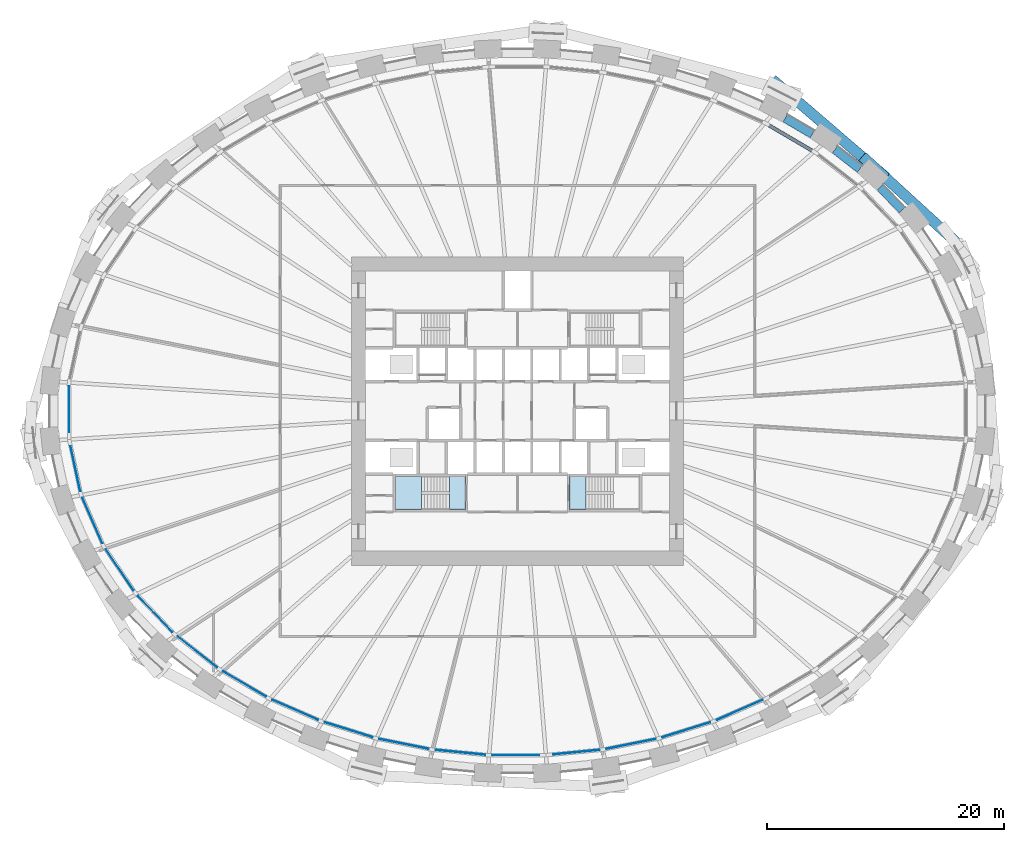
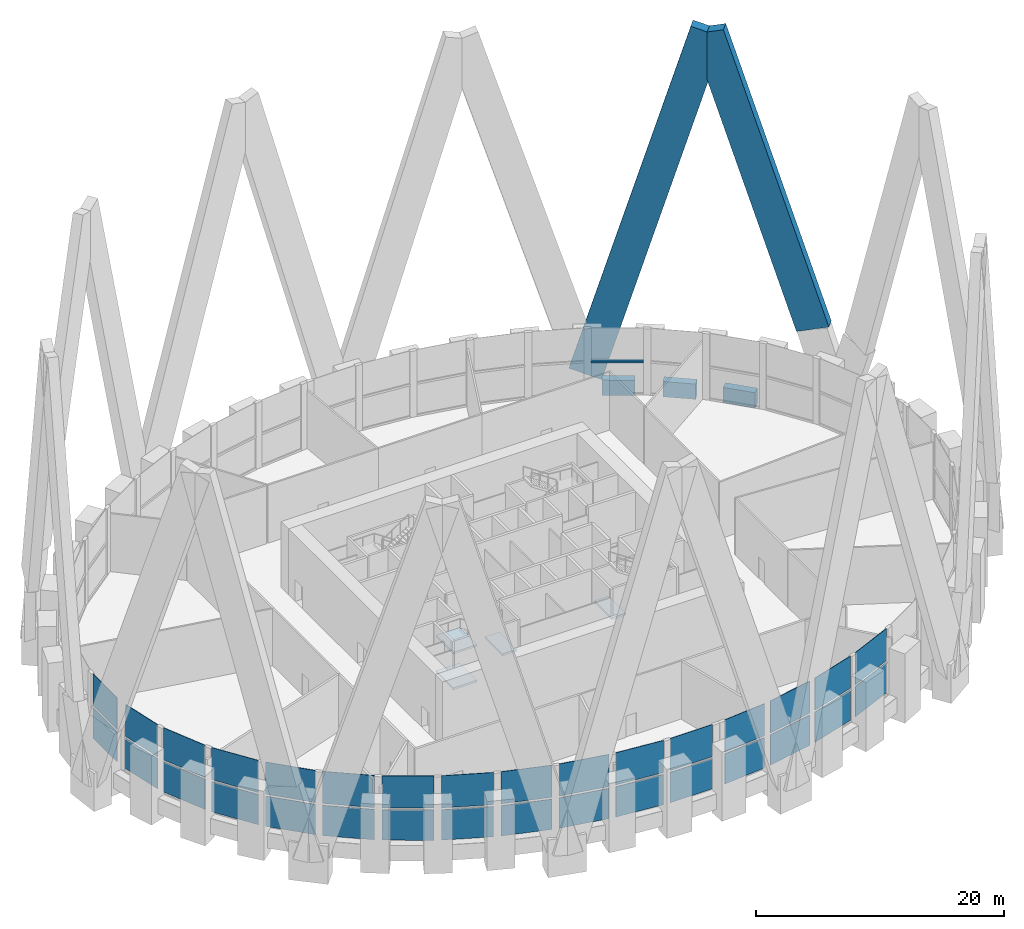
# One storey, part 6 of 17: 32 plates, 4 slabs, 3 beams, 3 members, 6 elements without a shape of their own.
"""IFC4 building model written with IfcOpenShell, lengths in metres."""

import ifcopenshell
import ifcopenshell.guid

model = None  # the IFC model being written
_history = None  # IfcOwnerHistory: only IFC2X3 demands one
_inside = {}  # id of a spatial element -> (the spatial element, [elements in it])
_under = {}  # id of a project, library or spatial element -> (it, [spatial elements below it])
_declared = {}  # id of a project -> (the project, [libraries it declares])
_typed = {}  # id of a type object -> (the type object, [elements of that type])
_made_of = {}  # id of a material, layer set ... -> (it, [elements and type objects made of it])


def new_model(schema):
    """Start an empty IFC model of exactly this schema.

    Asked for "IFC4X3", IfcOpenShell would pick the latest addendum, in which some entities
    have other attributes; the version numbers below select the first issue.
    IFC2X3 requires an IfcOwnerHistory on every rooted entity: one is made here for all.
    """
    global model, _history
    if schema == "IFC4X3":
        model = ifcopenshell.file(schema_version=(4, 3, 0, 0))
    else:
        model = ifcopenshell.file(schema=schema)
    _inside.clear()
    _under.clear()
    _declared.clear()
    _typed.clear()
    _made_of.clear()
    _history = None
    if model.schema == "IFC2X3":
        org = make("IfcOrganization", Name="unknown")
        user = make(
            "IfcPersonAndOrganization",
            ThePerson=make("IfcPerson", FamilyName="unknown"),
            TheOrganization=org,
        )
        app = make(
            "IfcApplication",
            ApplicationDeveloper=org,
            Version="unknown",
            ApplicationFullName="unknown",
            ApplicationIdentifier="unknown",
        )
        _history = make(
            "IfcOwnerHistory",
            OwningUser=user,
            OwningApplication=app,
            ChangeAction="ADDED",
            CreationDate=0,
        )
    return model


def make(cls, **values):
    """One entity of the class cls with the attributes given. An attribute that is None is left unset."""
    return model.create_entity(
        cls, **{name: value for name, value in values.items() if value is not None}
    )


def rooted(cls, **values):
    """An entity with a GlobalId (a new one), such as an element, a storey or a relation."""
    return make(cls, GlobalId=ifcopenshell.guid.new(), OwnerHistory=_history, **values)


def si_unit(unit_type, name, prefix=None):
    """IfcSIUnit, for example si_unit("LENGTHUNIT", "METRE", prefix="MILLI")."""
    return make("IfcSIUnit", UnitType=unit_type, Prefix=prefix, Name=name)


def assignment(units):
    """IfcUnitAssignment: the units of a project."""
    return None if units is None else make("IfcUnitAssignment", Units=units)


def point(xyz):
    """IfcCartesianPoint."""
    return None if xyz is None else make("IfcCartesianPoint", Coordinates=xyz)


def direction(xyz):
    """IfcDirection."""
    return None if xyz is None else make("IfcDirection", DirectionRatios=xyz)


def frame(location, z_axis=None, x_axis=None):
    """IfcAxis2Placement3D, a coordinate frame: its origin and axes. An axis left out is left unset."""
    return make(
        "IfcAxis2Placement3D",
        Location=point(location),
        Axis=direction(z_axis),
        RefDirection=direction(x_axis),
    )


def frame_2d(location, x_axis=None):
    """IfcAxis2Placement2D, a coordinate frame in the plane: its origin and x axis."""
    return make(
        "IfcAxis2Placement2D", Location=point(location), RefDirection=direction(x_axis)
    )


def origin():
    """The frame at (0, 0, 0) with its axes left unset."""
    return frame((0.0, 0.0, 0.0))


def origin_2d():
    """The frame at (0, 0) in the plane with its x axis left unset."""
    return frame_2d((0.0, 0.0))


def place(relative_to, where):
    """IfcLocalPlacement: puts the frame where relative to a parent placement (None: the world)."""
    return make(
        "IfcLocalPlacement", PlacementRelTo=relative_to, RelativePlacement=where
    )


def context(
    kind, dimensions, precision=None, world=None, true_north=None, identifier=None
):
    """IfcGeometricRepresentationContext, for example the 3D "Model" context."""
    return make(
        "IfcGeometricRepresentationContext",
        ContextIdentifier=identifier,
        ContextType=kind,
        CoordinateSpaceDimension=dimensions,
        Precision=precision,
        WorldCoordinateSystem=world,
        TrueNorth=true_north,
    )


def subcontext(parent, identifier, kind, view, scale=None):
    """IfcGeometricRepresentationSubContext, for example "Body" below "Model"."""
    return make(
        "IfcGeometricRepresentationSubContext",
        ContextIdentifier=identifier,
        ContextType=kind,
        ParentContext=parent,
        TargetScale=scale,
        TargetView=view,
    )


def project(units=None, contexts=None):
    """IfcProject with its units and contexts."""
    return rooted(
        "IfcProject",
        Name="project",
        RepresentationContexts=contexts,
        UnitsInContext=assignment(units),
    )


def spatial(cls, under=None, at=None, **own):
    """A site, building, storey or space (cls), placed at a placement, below another one or the project."""
    s = rooted(cls, ObjectPlacement=at, **own)
    if under is not None:
        _under.setdefault(under.id(), (under, []))[1].append(s)
    return s


def polyline(points):
    """IfcPolyline through the points."""
    return make("IfcPolyline", Points=[point(p) for p in points])


def profile(cls, at=None, kind="AREA", **sizes):
    """A parametric profile (cls). Its sizes go by their IFC names, for example OverallWidth=200.0."""
    return make(cls, ProfileType=kind, Position=at, **sizes)


def rectangle(**sizes):
    """IfcRectangleProfileDef."""
    return profile("IfcRectangleProfileDef", **sizes)


def outline(outer, holes=None, kind="AREA"):
    """IfcArbitraryClosedProfileDef: a profile drawn as a closed curve; with holes, ...WithVoids."""
    if holes is None:
        return make("IfcArbitraryClosedProfileDef", ProfileType=kind, OuterCurve=outer)
    return make(
        "IfcArbitraryProfileDefWithVoids",
        ProfileType=kind,
        OuterCurve=outer,
        InnerCurves=holes,
    )


def extrude(swept, where, along, depth):
    """IfcExtrudedAreaSolid: the profile swept, set in the frame where, extruded along a direction by depth."""
    return make(
        "IfcExtrudedAreaSolid",
        SweptArea=swept,
        Position=where,
        ExtrudedDirection=direction(along),
        Depth=depth,
    )


def shape(context_of_items, identifier, shape_type, items):
    """IfcShapeRepresentation: the items that make up one representation, for example the "Body"."""
    return make(
        "IfcShapeRepresentation",
        ContextOfItems=context_of_items,
        RepresentationIdentifier=identifier,
        RepresentationType=shape_type,
        Items=items,
    )


def source(mapping_origin, context_of_items, identifier, shape_type, items):
    """IfcRepresentationMap: a shape defined once, which mapped items show again and again."""
    return make(
        "IfcRepresentationMap",
        MappingOrigin=mapping_origin,
        MappedRepresentation=shape(context_of_items, identifier, shape_type, items),
    )


def transform(
    local_origin,
    x_axis=None,
    y_axis=None,
    z_axis=None,
    scale=None,
    scale2=None,
    scale3=None,
    uniform=True,
):
    """IfcCartesianTransformationOperator3D, or its non-uniform kind. x_axis, y_axis, z_axis: its Axis1, 2, 3."""
    if uniform:
        return make(
            "IfcCartesianTransformationOperator3D",
            Axis1=direction(x_axis),
            Axis2=direction(y_axis),
            LocalOrigin=point(local_origin),
            Scale=scale,
            Axis3=direction(z_axis),
        )
    return make(
        "IfcCartesianTransformationOperator3DnonUniform",
        Axis1=direction(x_axis),
        Axis2=direction(y_axis),
        LocalOrigin=point(local_origin),
        Scale=scale,
        Axis3=direction(z_axis),
        Scale2=scale2,
        Scale3=scale3,
    )


def mapped(mapping_source, mapping_target):
    """IfcMappedItem: shows the shape of a source again, moved by a transform."""
    return make(
        "IfcMappedItem", MappingSource=mapping_source, MappingTarget=mapping_target
    )


def material(Name=None, Category=None):
    """IfcMaterial."""
    return make("IfcMaterial", Name=Name, Category=Category)


def layer(
    of_material, thickness, ventilated=None, Name=None, Category=None, Priority=None
):
    """IfcMaterialLayer: one layer of a wall or slab, of a material (None: an air gap)."""
    return make(
        "IfcMaterialLayer",
        Material=of_material,
        LayerThickness=thickness,
        IsVentilated=ventilated,
        Name=Name,
        Category=Category,
        Priority=Priority,
    )


def layer_set(layers, Name=None):
    """IfcMaterialLayerSet."""
    return make("IfcMaterialLayerSet", MaterialLayers=layers, LayerSetName=Name)


def material_profile(
    of_material, cross_section, Name=None, Category=None, Priority=None
):
    """IfcMaterialProfile: a cross section and its material."""
    return make(
        "IfcMaterialProfile",
        Name=Name,
        Material=of_material,
        Profile=cross_section,
        Priority=Priority,
        Category=Category,
    )


def profile_set(profiles, Name=None, composite=None):
    """IfcMaterialProfileSet."""
    return make(
        "IfcMaterialProfileSet",
        Name=Name,
        MaterialProfiles=profiles,
        CompositeProfile=composite,
    )


def made_of(thing, what):
    """Note that an element or type object is made of a material, layer set ...; save() writes the relation."""
    if what is not None:
        _made_of.setdefault(what.id(), (what, []))[1].append(thing)
    return thing


def type_object(cls, material=None, **own):
    """A type object (cls), such as IfcWallType, which elements share."""
    return made_of(rooted(cls, **own), material)


def element(
    cls,
    number,
    at=None,
    inside=None,
    cuts=None,
    type_object=None,
    material=None,
    context=None,
    identifier="Body",
    shape_type=None,
    held_by="IfcProductDefinitionShape",
    body=None,
    shapes=None,
    **own,
):
    """One element of the class cls, such as IfcWall. Its Tag is "e" and its number.

    at: its placement. inside: the storey or other place that contains it. cuts: it is an
    opening in that element (IfcRelVoidsElement). A single representation is given by context,
    identifier, shape_type and body (its items); several are given by shapes. held_by: the class
    of the entity that holds the representations. save() writes the other relations.
    """
    e = rooted(cls, Tag="e%d" % number, ObjectPlacement=at, **own)
    if body is not None:
        shapes = [shape(context, identifier, shape_type, body)]
    if shapes is not None:
        e.Representation = make(held_by, Representations=shapes)
    if inside is not None:
        _inside.setdefault(inside.id(), (inside, []))[1].append(e)
    if cuts is not None:
        rooted(
            "IfcRelVoidsElement", RelatingBuildingElement=cuts, RelatedOpeningElement=e
        )
    if type_object is not None:
        _typed.setdefault(type_object.id(), (type_object, []))[1].append(e)
    return made_of(e, material)


def aggregate(whole, parts):
    """IfcRelAggregates: a whole, such as a stair, and the parts it consists of."""
    return rooted("IfcRelAggregates", RelatingObject=whole, RelatedObjects=parts)


def save(model, path):
    """Write the relations noted so far, then the file.

    IfcRelAggregates (storeys below a building ...), IfcRelContainedInSpatialStructure (elements
    in a storey), IfcRelDefinesByType, IfcRelAssociatesMaterial and IfcRelDeclares: one each for
    every whole, place, type object, material and project.
    """
    for whole, parts in _under.values():
        aggregate(whole, parts)
    for where, things in _inside.values():
        rooted(
            "IfcRelContainedInSpatialStructure",
            RelatedElements=things,
            RelatingStructure=where,
        )
    for kind, things in _typed.values():
        rooted("IfcRelDefinesByType", RelatedObjects=things, RelatingType=kind)
    for what, things in _made_of.values():
        rooted("IfcRelAssociatesMaterial", RelatedObjects=things, RelatingMaterial=what)
    for by, libraries in _declared.values():
        rooted("IfcRelDeclares", RelatingContext=by, RelatedDefinitions=libraries)
    model.write(path)


model = new_model("IFC4")

# Units and contexts
model_context = context("Model", 3, precision=1e-05, world=origin(), true_north=direction((0.0, 1.0)))
body_context = subcontext(model_context, "Body", "Model", "MODEL_VIEW")
ifc_project = project(units=[si_unit("LENGTHUNIT", "METRE"), si_unit("AREAUNIT", "SQUARE_METRE"), si_unit("VOLUMEUNIT", "CUBIC_METRE"), si_unit("PLANEANGLEUNIT", "RADIAN"), si_unit("MASSUNIT", "GRAM", prefix="KILO")], contexts=[model_context])

# Site, building, storey
site_placement = place(None, origin())
site = spatial("IfcSite", under=ifc_project, at=site_placement, CompositionType="ELEMENT")
building_placement = place(site_placement, origin())
building = spatial("IfcBuilding", under=site, at=building_placement, Name="Embergate Tower", CompositionType="ELEMENT")
storey_placement = place(building_placement, frame((0.0, 0.0, 125.0)))
storey = spatial("IfcBuildingStorey", under=building, at=storey_placement, Name="L27", CompositionType="ELEMENT", Elevation=125.0)

# Beams
ifc_material_1 = material(Name="Concrete C70", Category="concrete")
ifc_material_profile_1 = material_profile(ifc_material_1, rectangle(XDim=0.699951171875, YDim=1.5, at=origin_2d()), Name="RC 700x1500")
ifc_profile_set_1 = profile_set([ifc_material_profile_1], Name="Concrete C70")
beam_type = type_object("IfcBeamType", Name="Spandrel beam RC 700x1500 C70", PredefinedType="BEAM", material=ifc_profile_set_1)
shared_shape_1 = source(origin(), body_context, "Body", "SweptSolid", [
    extrude(rectangle(XDim=0.699951171875, YDim=1.5, at=origin_2d()), origin(), (0.0, 0.0, 1.0), 2.673583984375),
])
beam_1_placement = place(storey_placement, frame((32.406005859375, 16.923095703125, 0.0), z_axis=(-0.690104255292, 0.72370996734, 0.0), x_axis=(-0.72370996734, -0.690104255292, 0.0)))
element("IfcBeam", 1, at=beam_1_placement, inside=storey, type_object=beam_type, Name="SPN-L27-03", PredefinedType="BEAM", context=body_context, shape_type="MappedRepresentation", body=[
    mapped(shared_shape_1, transform((0.0, 0.0, 0.0))),
])
shared_shape_2 = source(origin(), body_context, "Body", "SweptSolid", [
    extrude(rectangle(XDim=0.699951171875, YDim=1.5, at=origin_2d()), origin(), (0.0, 0.0, 1.0), 2.666015625),
])
beam_2_placement = place(storey_placement, frame((28.843017578125, 20.386962890625, 0.0), z_axis=(-0.788088232686, 0.615562293762, 0.0), x_axis=(-0.615562293762, -0.788088232686, 0.0)))
element("IfcBeam", 2, at=beam_2_placement, inside=storey, type_object=beam_type, Name="SPN-L27-04", PredefinedType="BEAM", context=body_context, shape_type="MappedRepresentation", body=[
    mapped(shared_shape_2, transform((0.0, 0.0, 0.0))),
])
shared_shape_3 = source(origin(), body_context, "Body", "SweptSolid", [
    extrude(rectangle(XDim=0.699951171875, YDim=1.5, at=origin_2d()), origin(), (0.0, 0.0, 1.0), 2.661376953125),
])
beam_3_placement = place(storey_placement, frame((24.840087890625, 23.321044921875, 0.0), z_axis=(-0.862040317261, 0.506839709787, 0.0), x_axis=(-0.506839709787, -0.862040317261, 0.0)))
element("IfcBeam", 3, at=beam_3_placement, inside=storey, type_object=beam_type, Name="SPN-L27-05", PredefinedType="BEAM", context=body_context, shape_type="MappedRepresentation", body=[
    mapped(shared_shape_3, transform((0.0, 0.0, 0.0))),
])

# Members
ifc_material_profile_2 = material_profile(ifc_material_1, rectangle(XDim=0.89990234375, YDim=2.800048828125, at=origin_2d()), Name="RC 900x2800")
ifc_profile_set_2 = profile_set([ifc_material_profile_2], Name="Concrete C70")
member_type_1 = type_object("IfcMemberType", Name="Lattice diagonal terracotta-faced RC 900x2800", PredefinedType="BRACE", material=ifc_profile_set_2)
shared_shape_4 = source(origin(), body_context, "Body", "SweptSolid", [
    extrude(rectangle(XDim=0.89990234375, YDim=2.800048828125, at=origin_2d()), origin(), (0.0, 0.0, 1.0), 29.223876953125),
])
member_1_placement = place(storey_placement, frame((36.470947265625, 14.677978515625, 7.0), z_axis=(-0.219613009636, 0.200832956164, 0.954691704016), x_axis=(-0.674849579416, -0.737955313797, 0.0)))
element("IfcMember", 4, at=member_1_placement, inside=storey, type_object=member_type_1, Name="BRC-L27-02-04-S01", PredefinedType="BRACE", context=body_context, shape_type="MappedRepresentation", body=[
    mapped(shared_shape_4, transform((0.0, 0.0, 0.0))),
])
shared_shape_5 = source(origin(), body_context, "Body", "SweptSolid", [
    extrude(rectangle(XDim=0.89990234375, YDim=2.800048828125, at=origin_2d()), origin(), (0.0, 0.0, 1.0), 36.3037109375),
])
member_2_placement = place(storey_placement, frame((22.472900390625, 27.06591796875, 0.0), z_axis=(0.208796544673, -0.17956314543, 0.961332970274), x_axis=(0.652035338279, 0.758188576566, 0.0)))
element("IfcMember", 5, at=member_2_placement, inside=storey, type_object=member_type_1, Name="BRC-L27-06-04-S00", PredefinedType="BRACE", context=body_context, shape_type="MappedRepresentation", body=[
    mapped(shared_shape_5, transform((0.0, 0.0, 0.0))),
])

# Curtain wall, member
ifc_material_2 = material(Name="Aluminium and glass", Category="aluminium")
curtain_wall_type = type_object("IfcCurtainWallType", Name="Sky lobby high glazing", PredefinedType="NOTDEFINED", material=ifc_material_2)
curtain_wall_1_placement = place(storey_placement, origin())
curtain_wall_1 = element("IfcCurtainWall", 6, at=curtain_wall_1_placement, inside=storey, type_object=curtain_wall_type, Name="Sky lobby high glazing run 1", ObjectType="SKY LOBBY HIGH GLAZING", PredefinedType="USERDEFINED")
ifc_material_3 = material(Name="Aluminium, thermally broken", Category="aluminium")
ifc_material_profile_3 = material_profile(ifc_material_3, rectangle(XDim=0.300048828125, YDim=0.179931640625, at=origin_2d()), Name="AL 180x300")
ifc_profile_set_3 = profile_set([ifc_material_profile_3], Name="Aluminium, thermally broken")
member_type_2 = type_object("IfcMemberType", Name="Sky lobby transom", PredefinedType="USERDEFINED", material=ifc_profile_set_3)
shared_shape_6 = source(origin(), body_context, "Body", "SweptSolid", [
    extrude(rectangle(XDim=0.300048828125, YDim=0.179931640625, at=origin_2d()), origin(), (0.0, 0.0, 1.0), 4.2080078125),
])
member_3_placement = place(storey_placement, frame((24.82861328125, 21.938720703125, 3.25), z_axis=(-0.862075868471, 0.506779238919, 0.0), x_axis=(-0.506779238919, -0.862075868471, 0.0)))
member_3 = element("IfcMember", 7, at=member_3_placement, type_object=member_type_2, Name="CW transom 6.2", ObjectType="TRANSOM", PredefinedType="USERDEFINED", context=body_context, shape_type="MappedRepresentation", body=[
    mapped(shared_shape_6, transform((0.0, 0.0, 0.0))),
])
aggregate(curtain_wall_1, [member_3])

# Curtain wall, plates
curtain_wall_2_placement = place(storey_placement, origin())
curtain_wall_2 = element("IfcCurtainWall", 8, at=curtain_wall_2_placement, inside=storey, type_object=curtain_wall_type, Name="Sky lobby high glazing run 3", ObjectType="SKY LOBBY HIGH GLAZING", PredefinedType="USERDEFINED")
ifc_material_4 = material(Name="Triple glazing, low-emissivity coating", Category="glass")
ifc_layer_1 = layer(ifc_material_4, 0.0439453125)
ifc_layer_set_1 = layer_set([ifc_layer_1], Name="Triple glazing, low-emissivity coating")
plate_type = type_object("IfcPlateType", Name="Sky lobby glazing unit", PredefinedType="CURTAIN_PANEL", material=ifc_layer_set_1)
shared_shape_7 = source(origin(), body_context, "Body", "SweptSolid", [
    extrude(rectangle(XDim=3.86474609375, YDim=0.0439453125, at=origin_2d()), origin(), (0.0, 0.0, 1.0), 2.97998046875),
])
plate_1_placement = place(storey_placement, frame((-37.255615234375, -4.856689453125, 0.179931640625), z_axis=(0.0, 0.0, 1.0), x_axis=(0.210401803698, -0.977614996305, 0.0)))
plate_1 = element("IfcPlate", 9, at=plate_1_placement, type_object=plate_type, Name="CW panel 1.1", PredefinedType="CURTAIN_PANEL", context=body_context, shape_type="MappedRepresentation", body=[
    mapped(shared_shape_7, transform((0.0, 0.0, 0.0))),
])
shared_shape_8 = source(origin(), body_context, "Body", "SweptSolid", [
    extrude(rectangle(XDim=3.86474609375, YDim=0.0439453125, at=origin_2d()), origin(), (0.0, 0.0, 1.0), 3.159912109375),
])
plate_2_placement = place(storey_placement, frame((-37.255615234375, -4.856689453125, 3.33984375), z_axis=(0.0, 0.0, 1.0), x_axis=(0.210401803698, -0.977614996305, 0.0)))
plate_2 = element("IfcPlate", 10, at=plate_2_placement, type_object=plate_type, Name="CW panel 1.2", PredefinedType="CURTAIN_PANEL", context=body_context, shape_type="MappedRepresentation", body=[
    mapped(shared_shape_8, transform((0.0, 0.0, 0.0))),
])
shared_shape_9 = source(origin(), body_context, "Body", "SweptSolid", [
    extrude(rectangle(XDim=4.172607421875, YDim=0.0439453125, at=origin_2d()), origin(), (0.0, 0.0, 1.0), 2.97998046875),
])
plate_3_placement = place(storey_placement, frame((-35.827392578125, -9.224365234375, 0.179931640625), z_axis=(0.0, 0.0, 1.0), x_axis=(0.401658494584, -0.915789524797, 0.0)))
plate_3 = element("IfcPlate", 11, at=plate_3_placement, type_object=plate_type, Name="CW panel 2.1", PredefinedType="CURTAIN_PANEL", context=body_context, shape_type="MappedRepresentation", body=[
    mapped(shared_shape_9, transform((0.0, 0.0, 0.0))),
])
shared_shape_10 = source(origin(), body_context, "Body", "SweptSolid", [
    extrude(rectangle(XDim=4.172607421875, YDim=0.0439453125, at=origin_2d()), origin(), (0.0, 0.0, 1.0), 3.159912109375),
])
plate_4_placement = place(storey_placement, frame((-35.827392578125, -9.224365234375, 3.33984375), z_axis=(0.0, 0.0, 1.0), x_axis=(0.401658494584, -0.915789524797, 0.0)))
plate_4 = element("IfcPlate", 12, at=plate_4_placement, type_object=plate_type, Name="CW panel 2.2", PredefinedType="CURTAIN_PANEL", context=body_context, shape_type="MappedRepresentation", body=[
    mapped(shared_shape_10, transform((0.0, 0.0, 0.0))),
])
shared_shape_11 = source(origin(), body_context, "Body", "SweptSolid", [
    extrude(rectangle(XDim=4.1826171875, YDim=0.0439453125, at=origin_2d()), origin(), (0.0, 0.0, 1.0), 2.97998046875),
])
plate_5_placement = place(storey_placement, frame((-33.524169921875, -13.38720703125, 0.179931640625), z_axis=(0.0, 0.0, 1.0), x_axis=(0.562347514787, -0.826901005328, 0.0)))
plate_5 = element("IfcPlate", 13, at=plate_5_placement, type_object=plate_type, Name="CW panel 3.1", PredefinedType="CURTAIN_PANEL", context=body_context, shape_type="MappedRepresentation", body=[
    mapped(shared_shape_11, transform((0.0, 0.0, 0.0))),
])
shared_shape_12 = source(origin(), body_context, "Body", "SweptSolid", [
    extrude(rectangle(XDim=4.1826171875, YDim=0.0439453125, at=origin_2d()), origin(), (0.0, 0.0, 1.0), 3.159912109375),
])
plate_6_placement = place(storey_placement, frame((-33.524169921875, -13.38720703125, 3.33984375), z_axis=(0.0, 0.0, 1.0), x_axis=(0.562347514787, -0.826901005328, 0.0)))
plate_6 = element("IfcPlate", 14, at=plate_6_placement, type_object=plate_type, Name="CW panel 3.2", PredefinedType="CURTAIN_PANEL", context=body_context, shape_type="MappedRepresentation", body=[
    mapped(shared_shape_12, transform((0.0, 0.0, 0.0))),
])
shared_shape_13 = source(origin(), body_context, "Body", "SweptSolid", [
    extrude(rectangle(XDim=4.1923828125, YDim=0.0439453125, at=origin_2d()), origin(), (0.0, 0.0, 1.0), 2.97998046875),
])
plate_7_placement = place(storey_placement, frame((-30.525634765625, -17.0986328125, 0.179931640625), z_axis=(0.0, 0.0, 1.0), x_axis=(0.6901388367, -0.723676990154, 0.0)))
plate_7 = element("IfcPlate", 15, at=plate_7_placement, type_object=plate_type, Name="CW panel 4.1", PredefinedType="CURTAIN_PANEL", context=body_context, shape_type="MappedRepresentation", body=[
    mapped(shared_shape_13, transform((0.0, 0.0, 0.0))),
])
shared_shape_14 = source(origin(), body_context, "Body", "SweptSolid", [
    extrude(rectangle(XDim=4.1923828125, YDim=0.0439453125, at=origin_2d()), origin(), (0.0, 0.0, 1.0), 3.159912109375),
])
plate_8_placement = place(storey_placement, frame((-30.525634765625, -17.0986328125, 3.33984375), z_axis=(0.0, 0.0, 1.0), x_axis=(0.6901388367, -0.723676990154, 0.0)))
plate_8 = element("IfcPlate", 16, at=plate_8_placement, type_object=plate_type, Name="CW panel 4.2", PredefinedType="CURTAIN_PANEL", context=body_context, shape_type="MappedRepresentation", body=[
    mapped(shared_shape_14, transform((0.0, 0.0, 0.0))),
])
shared_shape_15 = source(origin(), body_context, "Body", "SweptSolid", [
    extrude(rectangle(XDim=4.201171875, YDim=0.0439453125, at=origin_2d()), origin(), (0.0, 0.0, 1.0), 2.97998046875),
])
plate_9_placement = place(storey_placement, frame((-26.9794921875, -20.309814453125, 0.179931640625), z_axis=(0.0, 0.0, 1.0), x_axis=(0.788323340765, -0.615261172515, 0.0)))
plate_9 = element("IfcPlate", 17, at=plate_9_placement, type_object=plate_type, Name="CW panel 5.1", PredefinedType="CURTAIN_PANEL", context=body_context, shape_type="MappedRepresentation", body=[
    mapped(shared_shape_15, transform((0.0, 0.0, 0.0))),
])
shared_shape_16 = source(origin(), body_context, "Body", "SweptSolid", [
    extrude(rectangle(XDim=4.201171875, YDim=0.0439453125, at=origin_2d()), origin(), (0.0, 0.0, 1.0), 3.159912109375),
])
plate_10_placement = place(storey_placement, frame((-26.9794921875, -20.309814453125, 3.33984375), z_axis=(0.0, 0.0, 1.0), x_axis=(0.788323340765, -0.615261172515, 0.0)))
plate_10 = element("IfcPlate", 18, at=plate_10_placement, type_object=plate_type, Name="CW panel 5.2", PredefinedType="CURTAIN_PANEL", context=body_context, shape_type="MappedRepresentation", body=[
    mapped(shared_shape_16, transform((0.0, 0.0, 0.0))),
])
shared_shape_17 = source(origin(), body_context, "Body", "SweptSolid", [
    extrude(rectangle(XDim=4.2080078125, YDim=0.0439453125, at=origin_2d()), origin(), (0.0, 0.0, 1.0), 2.97998046875),
])
plate_11_placement = place(storey_placement, frame((-23.014892578125, -23.0048828125, 0.179931640625), z_axis=(0.0, 0.0, 1.0), x_axis=(0.862054936934, -0.506814843614, 0.0)))
plate_11 = element("IfcPlate", 19, at=plate_11_placement, type_object=plate_type, Name="CW panel 6.1", PredefinedType="CURTAIN_PANEL", context=body_context, shape_type="MappedRepresentation", body=[
    mapped(shared_shape_17, transform((0.0, 0.0, 0.0))),
])
shared_shape_18 = source(origin(), body_context, "Body", "SweptSolid", [
    extrude(rectangle(XDim=4.2080078125, YDim=0.0439453125, at=origin_2d()), origin(), (0.0, 0.0, 1.0), 3.159912109375),
])
plate_12_placement = place(storey_placement, frame((-23.014892578125, -23.0048828125, 3.33984375), z_axis=(0.0, 0.0, 1.0), x_axis=(0.862054936934, -0.506814843614, 0.0)))
plate_12 = element("IfcPlate", 20, at=plate_12_placement, type_object=plate_type, Name="CW panel 6.2", PredefinedType="CURTAIN_PANEL", context=body_context, shape_type="MappedRepresentation", body=[
    mapped(shared_shape_18, transform((0.0, 0.0, 0.0))),
])
shared_shape_19 = source(origin(), body_context, "Body", "SweptSolid", [
    extrude(rectangle(XDim=4.213134765625, YDim=0.0439453125, at=origin_2d()), origin(), (0.0, 0.0, 1.0), 2.97998046875),
])
plate_13_placement = place(storey_placement, frame((-18.737548828125, -25.1875, 0.179931640625), z_axis=(0.0, 0.0, 1.0), x_axis=(0.916237610228, -0.400635297502, 0.0)))
plate_13 = element("IfcPlate", 21, at=plate_13_placement, type_object=plate_type, Name="CW panel 7.1", PredefinedType="CURTAIN_PANEL", context=body_context, shape_type="MappedRepresentation", body=[
    mapped(shared_shape_19, transform((0.0, 0.0, 0.0))),
])

# Curtain wall, plate
curtain_wall_3_placement = place(storey_placement, origin())
curtain_wall_3 = element("IfcCurtainWall", 22, at=curtain_wall_3_placement, inside=storey, type_object=curtain_wall_type, Name="Sky lobby high glazing run 4", ObjectType="SKY LOBBY HIGH GLAZING", PredefinedType="USERDEFINED")
plate_14_placement = place(storey_placement, frame((18.737548828125, -25.1875, 0.179931640625), z_axis=(0.0, 0.0, 1.0), x_axis=(0.916237610228, 0.400635297502, 0.0)))
plate_14 = element("IfcPlate", 23, at=plate_14_placement, type_object=plate_type, Name="CW panel 4.1", PredefinedType="CURTAIN_PANEL", context=body_context, shape_type="MappedRepresentation", body=[
    mapped(shared_shape_19, transform((0.0, 0.0, 0.0))),
])

# Plate
shared_shape_20 = source(origin(), body_context, "Body", "SweptSolid", [
    extrude(rectangle(XDim=4.213134765625, YDim=0.0439453125, at=origin_2d()), origin(), (0.0, 0.0, 1.0), 3.159912109375),
])
plate_15_placement = place(storey_placement, frame((-18.737548828125, -25.1875, 3.33984375), z_axis=(0.0, 0.0, 1.0), x_axis=(0.916237610228, -0.400635297502, 0.0)))
plate_15 = element("IfcPlate", 24, at=plate_15_placement, type_object=plate_type, Name="CW panel 7.2", PredefinedType="CURTAIN_PANEL", context=body_context, shape_type="MappedRepresentation", body=[
    mapped(shared_shape_20, transform((0.0, 0.0, 0.0))),
])

plate_16_placement = place(storey_placement, frame((18.737548828125, -25.1875, 3.33984375), z_axis=(0.0, 0.0, 1.0), x_axis=(0.916237610228, 0.400635297502, 0.0)))
plate_16 = element("IfcPlate", 25, at=plate_16_placement, type_object=plate_type, Name="CW panel 4.2", PredefinedType="CURTAIN_PANEL", context=body_context, shape_type="MappedRepresentation", body=[
    mapped(shared_shape_20, transform((0.0, 0.0, 0.0))),
])

shared_shape_21 = source(origin(), body_context, "Body", "SweptSolid", [
    extrude(rectangle(XDim=4.216796875, YDim=0.0439453125, at=origin_2d()), origin(), (0.0, 0.0, 1.0), 2.97998046875),
])
plate_17_placement = place(storey_placement, frame((-14.23291015625, -26.867919921875, 0.179931640625), z_axis=(0.0, 0.0, 1.0), x_axis=(0.954772736126, -0.297336547283, 0.0)))
plate_17 = element("IfcPlate", 26, at=plate_17_placement, type_object=plate_type, Name="CW panel 8.1", PredefinedType="CURTAIN_PANEL", context=body_context, shape_type="MappedRepresentation", body=[
    mapped(shared_shape_21, transform((0.0, 0.0, 0.0))),
])

plate_18_placement = place(storey_placement, frame((14.23291015625, -26.867919921875, 0.179931640625), z_axis=(0.0, 0.0, 1.0), x_axis=(0.954772736126, 0.297336547283, 0.0)))
plate_18 = element("IfcPlate", 27, at=plate_18_placement, type_object=plate_type, Name="CW panel 3.1", PredefinedType="CURTAIN_PANEL", context=body_context, shape_type="MappedRepresentation", body=[
    mapped(shared_shape_21, transform((0.0, 0.0, 0.0))),
])

shared_shape_22 = source(origin(), body_context, "Body", "SweptSolid", [
    extrude(rectangle(XDim=4.216796875, YDim=0.0439453125, at=origin_2d()), origin(), (0.0, 0.0, 1.0), 3.159912109375),
])
plate_19_placement = place(storey_placement, frame((-14.23291015625, -26.867919921875, 3.33984375), z_axis=(0.0, 0.0, 1.0), x_axis=(0.954772736126, -0.297336547283, 0.0)))
plate_19 = element("IfcPlate", 28, at=plate_19_placement, type_object=plate_type, Name="CW panel 8.2", PredefinedType="CURTAIN_PANEL", context=body_context, shape_type="MappedRepresentation", body=[
    mapped(shared_shape_22, transform((0.0, 0.0, 0.0))),
])

plate_20_placement = place(storey_placement, frame((14.23291015625, -26.867919921875, 3.33984375), z_axis=(0.0, 0.0, 1.0), x_axis=(0.954772736126, 0.297336547283, 0.0)))
plate_20 = element("IfcPlate", 29, at=plate_20_placement, type_object=plate_type, Name="CW panel 3.2", PredefinedType="CURTAIN_PANEL", context=body_context, shape_type="MappedRepresentation", body=[
    mapped(shared_shape_22, transform((0.0, 0.0, 0.0))),
])

shared_shape_23 = source(origin(), body_context, "Body", "SweptSolid", [
    extrude(rectangle(XDim=4.21923828125, YDim=0.0439453125, at=origin_2d()), origin(), (0.0, 0.0, 1.0), 2.97998046875),
])
plate_21_placement = place(storey_placement, frame((-9.57080078125, -28.0576171875, 0.179931640625), z_axis=(0.0, 0.0, 1.0), x_axis=(0.980476250608, -0.196637539636, 0.0)))
plate_21 = element("IfcPlate", 30, at=plate_21_placement, type_object=plate_type, Name="CW panel 9.1", PredefinedType="CURTAIN_PANEL", context=body_context, shape_type="MappedRepresentation", body=[
    mapped(shared_shape_23, transform((0.0, 0.0, 0.0))),
])

plate_22_placement = place(storey_placement, frame((9.57080078125, -28.0576171875, 0.179931640625), z_axis=(0.0, 0.0, 1.0), x_axis=(0.980476250608, 0.196637539636, 0.0)))
plate_22 = element("IfcPlate", 31, at=plate_22_placement, type_object=plate_type, Name="CW panel 2.1", PredefinedType="CURTAIN_PANEL", context=body_context, shape_type="MappedRepresentation", body=[
    mapped(shared_shape_23, transform((0.0, 0.0, 0.0))),
])

shared_shape_24 = source(origin(), body_context, "Body", "SweptSolid", [
    extrude(rectangle(XDim=4.21923828125, YDim=0.0439453125, at=origin_2d()), origin(), (0.0, 0.0, 1.0), 3.159912109375),
])
plate_23_placement = place(storey_placement, frame((-9.57080078125, -28.0576171875, 3.33984375), z_axis=(0.0, 0.0, 1.0), x_axis=(0.980476250608, -0.196637539636, 0.0)))
plate_23 = element("IfcPlate", 32, at=plate_23_placement, type_object=plate_type, Name="CW panel 9.2", PredefinedType="CURTAIN_PANEL", context=body_context, shape_type="MappedRepresentation", body=[
    mapped(shared_shape_24, transform((0.0, 0.0, 0.0))),
])

plate_24_placement = place(storey_placement, frame((9.57080078125, -28.0576171875, 3.33984375), z_axis=(0.0, 0.0, 1.0), x_axis=(0.980476250608, 0.196637539636, 0.0)))
plate_24 = element("IfcPlate", 33, at=plate_24_placement, type_object=plate_type, Name="CW panel 2.2", PredefinedType="CURTAIN_PANEL", context=body_context, shape_type="MappedRepresentation", body=[
    mapped(shared_shape_24, transform((0.0, 0.0, 0.0))),
])

shared_shape_25 = source(origin(), body_context, "Body", "SweptSolid", [
    extrude(rectangle(XDim=4.220703125, YDim=0.0439453125, at=origin_2d()), origin(), (0.0, 0.0, 1.0), 2.97998046875),
])
plate_25_placement = place(storey_placement, frame((-4.8095703125, -28.767333984375, 0.179931640625), z_axis=(0.0, 0.0, 1.0), x_axis=(0.995203355531, -0.09782781373, 0.0)))
plate_25 = element("IfcPlate", 34, at=plate_25_placement, type_object=plate_type, Name="CW panel 10.1", PredefinedType="CURTAIN_PANEL", context=body_context, shape_type="MappedRepresentation", body=[
    mapped(shared_shape_25, transform((0.0, 0.0, 0.0))),
])

shared_shape_26 = source(origin(), body_context, "Body", "SweptSolid", [
    extrude(rectangle(XDim=4.220703125, YDim=0.0439453125, at=origin_2d()), origin(), (0.0, 0.0, 1.0), 3.159912109375),
])
plate_26_placement = place(storey_placement, frame((-4.8095703125, -28.767333984375, 3.33984375), z_axis=(0.0, 0.0, 1.0), x_axis=(0.995203355531, -0.09782781373, 0.0)))
plate_26 = element("IfcPlate", 35, at=plate_26_placement, type_object=plate_type, Name="CW panel 10.2", PredefinedType="CURTAIN_PANEL", context=body_context, shape_type="MappedRepresentation", body=[
    mapped(shared_shape_26, transform((0.0, 0.0, 0.0))),
])

shared_shape_27 = source(origin(), body_context, "Body", "SweptSolid", [
    extrude(rectangle(XDim=3.92138671875, YDim=0.0439453125, at=origin_2d()), origin(), (0.0, 0.0, 1.0), 2.97998046875),
])
plate_27_placement = place(storey_placement, frame((-0.14990234375, -29.003173828125, 0.179931640625), z_axis=(0.0, 0.0, 1.0), x_axis=(1.0, 0.0, 0.0)))
plate_27 = element("IfcPlate", 36, at=plate_27_placement, type_object=plate_type, Name="CW panel 11.1", PredefinedType="CURTAIN_PANEL", context=body_context, shape_type="MappedRepresentation", body=[
    mapped(shared_shape_27, transform((0.0, 0.0, 0.0))),
])

shared_shape_28 = source(origin(), body_context, "Body", "SweptSolid", [
    extrude(rectangle(XDim=3.92138671875, YDim=0.0439453125, at=origin_2d()), origin(), (0.0, 0.0, 1.0), 3.159912109375),
])
plate_28_placement = place(storey_placement, frame((-0.14990234375, -29.003173828125, 3.33984375), z_axis=(0.0, 0.0, 1.0), x_axis=(1.0, 0.0, 0.0)))
plate_28 = element("IfcPlate", 37, at=plate_28_placement, type_object=plate_type, Name="CW panel 11.2", PredefinedType="CURTAIN_PANEL", context=body_context, shape_type="MappedRepresentation", body=[
    mapped(shared_shape_28, transform((0.0, 0.0, 0.0))),
])

aggregate(curtain_wall_2, [plate_1, plate_2, plate_3, plate_4, plate_5, plate_6, plate_7, plate_8, plate_9, plate_10, plate_11, plate_12, plate_13, plate_15, plate_17, plate_19, plate_21, plate_23, plate_25, plate_26, plate_27, plate_28])

shared_shape_29 = source(origin(), body_context, "Body", "SweptSolid", [
    extrude(rectangle(XDim=3.9208984375, YDim=0.0439453125, at=origin_2d()), origin(), (0.0, 0.0, 1.0), 2.97998046875),
])
plate_29_placement = place(storey_placement, frame((4.958740234375, -28.752685546875, 0.179931640625), z_axis=(0.0, 0.0, 1.0), x_axis=(0.995203355531, 0.09782781373, 0.0)))
plate_29 = element("IfcPlate", 38, at=plate_29_placement, type_object=plate_type, Name="CW panel 1.1", PredefinedType="CURTAIN_PANEL", context=body_context, shape_type="MappedRepresentation", body=[
    mapped(shared_shape_29, transform((0.0, 0.0, 0.0))),
])

shared_shape_30 = source(origin(), body_context, "Body", "SweptSolid", [
    extrude(rectangle(XDim=3.9208984375, YDim=0.0439453125, at=origin_2d()), origin(), (0.0, 0.0, 1.0), 3.159912109375),
])
plate_30_placement = place(storey_placement, frame((4.958740234375, -28.752685546875, 3.33984375), z_axis=(0.0, 0.0, 1.0), x_axis=(0.995203355531, 0.09782781373, 0.0)))
plate_30 = element("IfcPlate", 39, at=plate_30_placement, type_object=plate_type, Name="CW panel 1.2", PredefinedType="CURTAIN_PANEL", context=body_context, shape_type="MappedRepresentation", body=[
    mapped(shared_shape_30, transform((0.0, 0.0, 0.0))),
])

aggregate(curtain_wall_3, [plate_29, plate_30, plate_22, plate_24, plate_18, plate_20, plate_14, plate_16])

# Curtain wall, plates
curtain_wall_4_placement = place(storey_placement, origin())
curtain_wall_4 = element("IfcCurtainWall", 40, at=curtain_wall_4_placement, inside=storey, type_object=curtain_wall_type, Name="Sky lobby high glazing run 2", ObjectType="SKY LOBBY HIGH GLAZING", PredefinedType="USERDEFINED")
shared_shape_31 = source(origin(), body_context, "Body", "SweptSolid", [
    extrude(rectangle(XDim=3.86181640625, YDim=0.0439453125, at=origin_2d()), origin(), (0.0, 0.0, 1.0), 2.97998046875),
])
plate_31_placement = place(storey_placement, frame((-37.788330078125, 0.14990234375, 0.179931640625), z_axis=(0.0, 0.0, 1.0), x_axis=(0.0, -1.0, 0.0)))
plate_31 = element("IfcPlate", 41, at=plate_31_placement, type_object=plate_type, Name="CW panel 11.1", PredefinedType="CURTAIN_PANEL", context=body_context, shape_type="MappedRepresentation", body=[
    mapped(shared_shape_31, transform((0.0, 0.0, 0.0))),
])
shared_shape_32 = source(origin(), body_context, "Body", "SweptSolid", [
    extrude(rectangle(XDim=3.86181640625, YDim=0.0439453125, at=origin_2d()), origin(), (0.0, 0.0, 1.0), 3.159912109375),
])
plate_32_placement = place(storey_placement, frame((-37.788330078125, 0.14990234375, 3.33984375), z_axis=(0.0, 0.0, 1.0), x_axis=(0.0, -1.0, 0.0)))
plate_32 = element("IfcPlate", 42, at=plate_32_placement, type_object=plate_type, Name="CW panel 11.2", PredefinedType="CURTAIN_PANEL", context=body_context, shape_type="MappedRepresentation", body=[
    mapped(shared_shape_32, transform((0.0, 0.0, 0.0))),
])
aggregate(curtain_wall_4, [plate_31, plate_32])

# Stair, slab
ifc_material_5 = material(Name="Exit stair")
stair_type = type_object("IfcStairType", Name="Exit stair", PredefinedType="HALF_TURN_STAIR", material=ifc_material_5)
stair_1_placement = place(storey_placement, origin())
stair_1 = element("IfcStair", 43, at=stair_1_placement, inside=storey, type_object=stair_type, Name="L27 Exit stair 3", PredefinedType="HALF_TURN_STAIR")
ifc_material_6 = material(Name="Concrete C40", Category="concrete")
ifc_layer_2 = layer(ifc_material_6, 0.199951171875)
ifc_layer_set_2 = layer_set([ifc_layer_2], Name="Concrete C40")
slab_type = type_object("IfcSlabType", Name="Stair landing reinforced concrete", PredefinedType="LANDING", material=ifc_layer_set_2)
shared_shape_33 = source(origin(), body_context, "Body", "SweptSolid", [
    extrude(outline(polyline([(0.0, 0.0), (1.35009765625, 0.0), (1.35009765625, 2.800048828125), (0.0, 2.800048828125), (0.0, 0.0)])), origin(), (0.0, 0.0, 1.0), 0.199951171875),
])
slab_1_placement = place(storey_placement, frame((-5.75, -8.300048828125, 3.300048828125)))
slab_1 = element("IfcSlab", 44, at=slab_1_placement, type_object=slab_type, Name="ST3 landing 2", PredefinedType="LANDING", context=body_context, shape_type="MappedRepresentation", body=[
    mapped(shared_shape_33, transform((0.0, 0.0, 0.0))),
])

stair_2_placement = place(storey_placement, origin())
stair_2 = element("IfcStair", 45, at=stair_2_placement, inside=storey, type_object=stair_type, Name="L27 Exit stair 4", PredefinedType="HALF_TURN_STAIR")
slab_2_placement = place(storey_placement, frame((4.39990234375, -8.300048828125, 3.300048828125)))
slab_2 = element("IfcSlab", 46, at=slab_2_placement, type_object=slab_type, Name="ST4 landing 2", PredefinedType="LANDING", context=body_context, shape_type="MappedRepresentation", body=[
    mapped(shared_shape_33, transform((0.0, 0.0, 0.0))),
])
aggregate(stair_2, [slab_2])

# Slab
shared_shape_34 = source(origin(), body_context, "Body", "SweptSolid", [
    extrude(outline(polyline([(0.0, 0.0), (2.2099609375, 0.0), (2.2099609375, 2.800048828125), (0.0, 2.800048828125), (0.0, 0.0)])), origin(), (0.0, 0.0, 1.0), 0.199951171875),
])
slab_3_placement = place(storey_placement, frame((-10.300048828125, -8.300048828125, 1.550048828125)))
slab_3 = element("IfcSlab", 47, at=slab_3_placement, type_object=slab_type, Name="ST3 landing 1", PredefinedType="LANDING", context=body_context, shape_type="MappedRepresentation", body=[
    mapped(shared_shape_34, transform((0.0, 0.0, 0.0))),
])

slab_4_placement = place(storey_placement, frame((-10.300048828125, -8.300048828125, 5.050048828125)))
slab_4 = element("IfcSlab", 48, at=slab_4_placement, type_object=slab_type, Name="ST3 landing 3", PredefinedType="LANDING", context=body_context, shape_type="MappedRepresentation", body=[
    mapped(shared_shape_34, transform((0.0, 0.0, 0.0))),
])

aggregate(stair_1, [slab_3, slab_1, slab_4])

save(model, "model.ifc")
